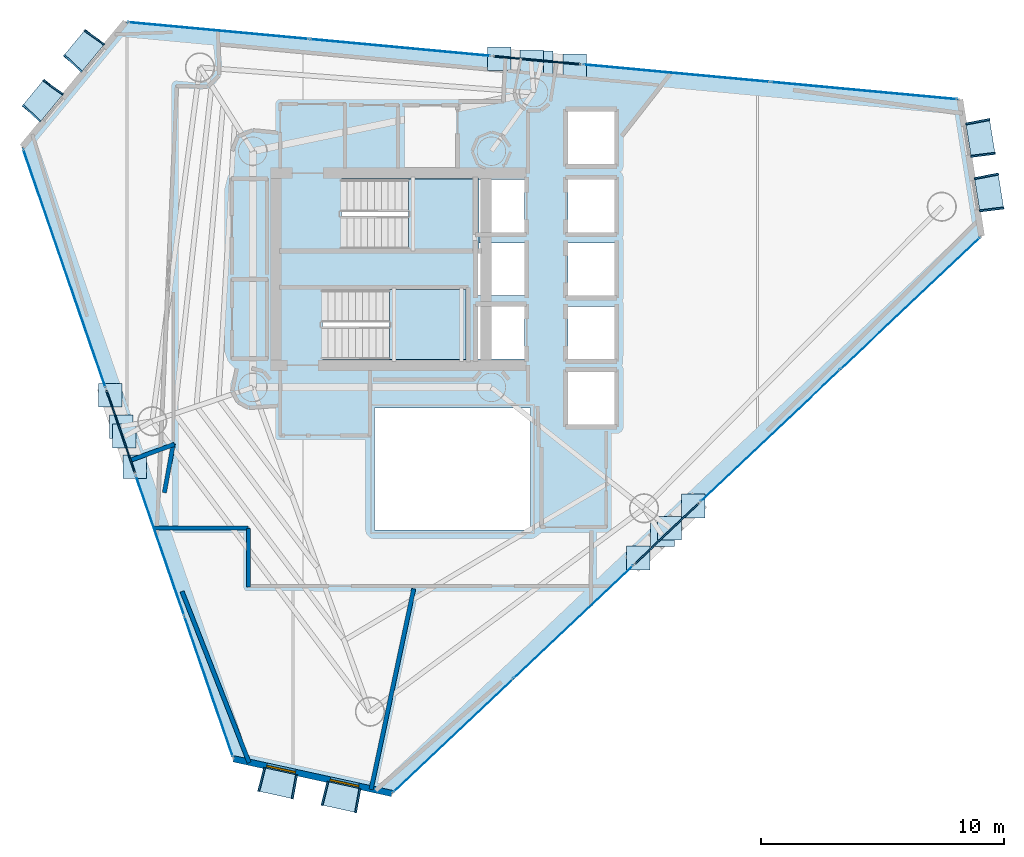
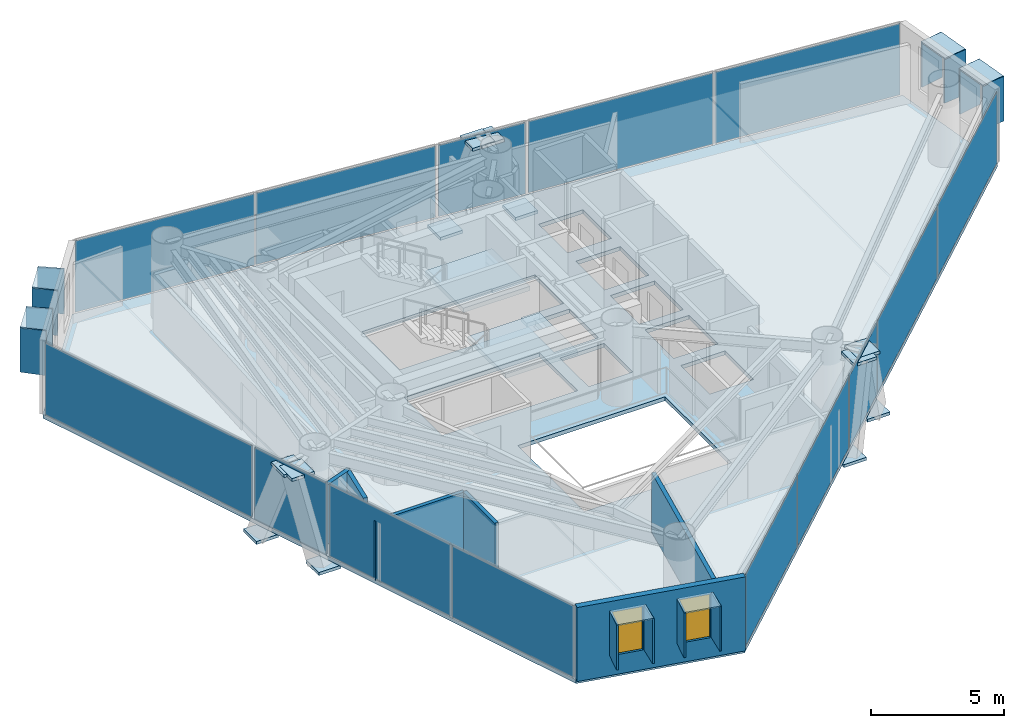
# One storey, part 15 of 20: 44 plates, 7 walls, 3 slabs, 2 windows, 2 openings, 11 elements without a shape of their own.
"""IFC4 building model written with IfcOpenShell, lengths in metres."""

from ifc_helpers import new_model, si_unit, direction, frame, frame_2d, origin, origin_2d, place, context, subcontext, project, spatial, polyline, rectangle, outline, extrude, material, layer, layer_set, type_object, element, fill, aggregate, save


model = new_model("IFC4")

# Units and contexts
model_context = context("Model", 3, precision=1e-05, world=origin(), true_north=direction((0.0, 1.0)))
body_context = subcontext(model_context, "Body", "Model", "MODEL_VIEW")
ifc_project = project(units=[si_unit("LENGTHUNIT", "METRE"), si_unit("AREAUNIT", "SQUARE_METRE"), si_unit("VOLUMEUNIT", "CUBIC_METRE"), si_unit("PLANEANGLEUNIT", "RADIAN"), si_unit("MASSUNIT", "GRAM", prefix="KILO")], contexts=[model_context])

# Site, building, storey
site_placement = place(None, origin())
site = spatial("IfcSite", under=ifc_project, at=site_placement, CompositionType="ELEMENT")
building_placement = place(site_placement, origin())
building = spatial("IfcBuilding", under=site, at=building_placement, Name="Qianvela Tower", CompositionType="ELEMENT")
storey_placement = place(building_placement, frame((0.0, 0.0, 226.199951171875)))
storey = spatial("IfcBuildingStorey", under=building, at=storey_placement, Name="L58", CompositionType="ELEMENT", Elevation=226.199951171875)

# Curtain wall, plate
ifc_material_1 = material(Name="Anodised Architectural Aluminium and Insulated Spandrel Panel", Category="aluminium")
ifc_layer_1 = layer(ifc_material_1, 0.179931640625)
ifc_layer_set_1 = layer_set([ifc_layer_1], Name="Anodised Architectural Aluminium and Insulated Spandrel Panel")
curtain_wall_type_1 = type_object("IfcCurtainWallType", Name="CW-BRACEBAY", PredefinedType="USERDEFINED", material=ifc_layer_set_1)
curtain_wall_1_placement = place(storey_placement, origin())
curtain_wall_1 = element("IfcCurtainWall", 1, at=curtain_wall_1_placement, inside=storey, type_object=curtain_wall_type_1, Name="L58 CW-BRACEBAY Curtain Wall 02B", ObjectType="CURTAIN_WALL_SYSTEM", PredefinedType="USERDEFINED")
ifc_material_2 = material(Name="Insulated Aluminium Spandrel Panel with Mineral-Wool Backpan", Category="aluminium")
ifc_layer_2 = layer(ifc_material_2, 0.06005859375)
ifc_layer_set_2 = layer_set([ifc_layer_2], Name="Insulated Aluminium Spandrel Panel with Mineral-Wool Backpan")
plate_type_1 = type_object("IfcPlateType", Name="CW-BRACEBAY-PNL", PredefinedType="CURTAIN_PANEL", material=ifc_layer_set_2)
plate_1_placement = place(storey_placement, frame((40.2724609375, 37.283935546875, 0.06494140625), z_axis=(0.0, 0.0, 1.0), x_axis=(-0.995705135675, 0.092581222663, 0.0)))
plate_1 = element("IfcPlate", 2, at=plate_1_placement, type_object=plate_type_1, Name="CW-9 panel 1.1", PredefinedType="CURTAIN_PANEL", context=body_context, shape_type="SweptSolid", body=[
    extrude(rectangle(XDim=3.590087890625, YDim=0.06005859375, at=origin_2d()), origin(), (0.0, 0.0, 1.0), 3.27001953125),
])
aggregate(curtain_wall_1, [plate_1])

curtain_wall_2_placement = place(storey_placement, origin())
curtain_wall_2 = element("IfcCurtainWall", 3, at=curtain_wall_2_placement, inside=storey, type_object=curtain_wall_type_1, Name="L58 CW-BRACEBAY Curtain Wall 04B", ObjectType="CURTAIN_WALL_SYSTEM", PredefinedType="USERDEFINED")
plate_2_placement = place(storey_placement, frame((23.176513671875, 22.033935546875, 0.06494140625), z_axis=(0.0, 0.0, 1.0), x_axis=(0.326234234578, -0.945288963328, 0.0)))
plate_2 = element("IfcPlate", 4, at=plate_2_placement, type_object=plate_type_1, Name="CW-9 panel 1.1", PredefinedType="CURTAIN_PANEL", context=body_context, shape_type="SweptSolid", body=[
    extrude(rectangle(XDim=3.590087890625, YDim=0.06005859375, at=origin_2d()), origin(), (0.0, 0.0, 1.0), 3.27001953125),
])
aggregate(curtain_wall_2, [plate_2])

curtain_wall_3_placement = place(storey_placement, origin())
curtain_wall_3 = element("IfcCurtainWall", 5, at=curtain_wall_3_placement, inside=storey, type_object=curtain_wall_type_1, Name="L58 CW-BRACEBAY Curtain Wall 06B", ObjectType="CURTAIN_WALL_SYSTEM", PredefinedType="USERDEFINED")
plate_3_placement = place(storey_placement, frame((45.609130859375, 17.8515625, 0.06494140625), z_axis=(0.0, 0.0, 1.0), x_axis=(0.726654684741, 0.687002888745, 0.0)))
plate_3 = element("IfcPlate", 6, at=plate_3_placement, type_object=plate_type_1, Name="CW-9 panel 1.1", PredefinedType="CURTAIN_PANEL", context=body_context, shape_type="SweptSolid", body=[
    extrude(rectangle(XDim=3.599853515625, YDim=0.06005859375, at=origin_2d()), origin(), (0.0, 0.0, 1.0), 3.27001953125),
])
aggregate(curtain_wall_3, [plate_3])

# Curtain wall, plates
ifc_material_3 = material(Name="Anodised Architectural Aluminium and Low-E Glass", Category="aluminium")
ifc_layer_3 = layer(ifc_material_3, 0.159912109375)
ifc_layer_set_3 = layer_set([ifc_layer_3], Name="Anodised Architectural Aluminium and Low-E Glass")
curtain_wall_type_2 = type_object("IfcCurtainWallType", Name="CW-COLIV-Z56", PredefinedType="USERDEFINED", material=ifc_layer_set_3)
curtain_wall_4_placement = place(storey_placement, origin())
curtain_wall_4 = element("IfcCurtainWall", 7, at=curtain_wall_4_placement, inside=storey, type_object=curtain_wall_type_2, Name="L58 CW-COLIV-Z56 Curtain Wall 02A", ObjectType="CURTAIN_WALL_SYSTEM", PredefinedType="USERDEFINED")
ifc_material_4 = material(Name="Double-Silver Low-E Insulated Glass", Category="glass")
ifc_layer_4 = layer(ifc_material_4, 0.028076171875)
ifc_layer_set_4 = layer_set([ifc_layer_4], Name="Double-Silver Low-E Insulated Glass")
plate_type_2 = type_object("IfcPlateType", Name="CW-COLIV-Z56-PNL", PredefinedType="CURTAIN_PANEL", material=ifc_layer_set_4)
plate_4_placement = place(storey_placement, frame((53.705810546875, 36.03466796875, 0.06005859375), z_axis=(0.0, 0.0, 1.0), x_axis=(-0.995703273509, 0.092601247958, 0.0)))
plate_4 = element("IfcPlate", 8, at=plate_4_placement, type_object=plate_type_2, Name="CW-5 panel 1.1", PredefinedType="CURTAIN_PANEL", context=body_context, shape_type="SweptSolid", body=[
    extrude(rectangle(XDim=7.66748046875, YDim=0.028076171875, at=origin_2d()), origin(), (0.0, 0.0, 1.0), 3.280029296875),
])
plate_5_placement = place(storey_placement, frame((46.006591796875, 36.750732421875, 0.06005859375), z_axis=(0.0, 0.0, 1.0), x_axis=(-0.995703273509, 0.092601247958, 0.0)))
plate_5 = element("IfcPlate", 9, at=plate_5_placement, type_object=plate_type_2, Name="CW-5 panel 2.1", PredefinedType="CURTAIN_PANEL", context=body_context, shape_type="SweptSolid", body=[
    extrude(rectangle(XDim=7.66748046875, YDim=0.028076171875, at=origin_2d()), origin(), (0.0, 0.0, 1.0), 3.280029296875),
])
aggregate(curtain_wall_4, [plate_4, plate_5])

curtain_wall_5_placement = place(storey_placement, origin())
curtain_wall_5 = element("IfcCurtainWall", 10, at=curtain_wall_5_placement, inside=storey, type_object=curtain_wall_type_2, Name="L58 CW-COLIV-Z56 Curtain Wall 02C", ObjectType="CURTAIN_WALL_SYSTEM", PredefinedType="USERDEFINED")
plate_6_placement = place(storey_placement, frame((34.656494140625, 37.80615234375, 0.06005859375), z_axis=(0.0, 0.0, 1.0), x_axis=(-0.995703352508, 0.092600398507, 0.0)))
plate_6 = element("IfcPlate", 11, at=plate_6_placement, type_object=plate_type_2, Name="CW-5 panel 1.1", PredefinedType="CURTAIN_PANEL", context=body_context, shape_type="SweptSolid", body=[
    extrude(rectangle(XDim=7.4306640625, YDim=0.028076171875, at=origin_2d()), origin(), (0.0, 0.0, 1.0), 3.280029296875),
])
plate_7_placement = place(storey_placement, frame((27.193115234375, 38.500244140625, 0.06005859375), z_axis=(0.0, 0.0, 1.0), x_axis=(-0.995703352508, 0.092600398507, 0.0)))
plate_7 = element("IfcPlate", 12, at=plate_7_placement, type_object=plate_type_2, Name="CW-5 panel 2.1", PredefinedType="CURTAIN_PANEL", context=body_context, shape_type="SweptSolid", body=[
    extrude(rectangle(XDim=7.4306640625, YDim=0.028076171875, at=origin_2d()), origin(), (0.0, 0.0, 1.0), 3.280029296875),
])
aggregate(curtain_wall_5, [plate_6, plate_7])

# Curtain wall, plate
curtain_wall_6_placement = place(storey_placement, origin())
curtain_wall_6 = element("IfcCurtainWall", 13, at=curtain_wall_6_placement, inside=storey, type_object=curtain_wall_type_2, Name="L58 CW-COLIV-Z56 Curtain Wall 04A", ObjectType="CURTAIN_WALL_SYSTEM", PredefinedType="USERDEFINED")
plate_8_placement = place(storey_placement, frame((20.863525390625, 28.73583984375, 0.06005859375), z_axis=(0.0, 0.0, 1.0), x_axis=(0.326225494501, -0.945291979622, 0.0)))
plate_8 = element("IfcPlate", 14, at=plate_8_placement, type_object=plate_type_2, Name="CW-5 panel 1.1", PredefinedType="CURTAIN_PANEL", context=body_context, shape_type="SweptSolid", body=[
    extrude(rectangle(XDim=10.329833984375, YDim=0.028076171875, at=origin_2d()), origin(), (0.0, 0.0, 1.0), 3.280029296875),
])
aggregate(curtain_wall_6, [plate_8])

# Curtain wall, plates
curtain_wall_7_placement = place(storey_placement, origin())
curtain_wall_7 = element("IfcCurtainWall", 15, at=curtain_wall_7_placement, inside=storey, type_object=curtain_wall_type_2, Name="L58 CW-COLIV-Z56 Curtain Wall 04C", ObjectType="CURTAIN_WALL_SYSTEM", PredefinedType="USERDEFINED")
plate_9_placement = place(storey_placement, frame((24.792236328125, 17.351806640625, 0.06005859375), z_axis=(0.0, 0.0, 1.0), x_axis=(0.326228815242, -0.945290833609, 0.0)))
plate_9 = element("IfcPlate", 16, at=plate_9_placement, type_object=plate_type_2, Name="CW-5 panel 1.1", PredefinedType="CURTAIN_PANEL", context=body_context, shape_type="SweptSolid", body=[
    extrude(rectangle(XDim=6.055908203125, YDim=0.028076171875, at=origin_2d()), origin(), (0.0, 0.0, 1.0), 3.280029296875),
])
plate_10_placement = place(storey_placement, frame((26.7890625, 11.565673828125, 0.06005859375), z_axis=(0.0, 0.0, 1.0), x_axis=(0.326228815242, -0.945290833609, 0.0)))
plate_10 = element("IfcPlate", 17, at=plate_10_placement, type_object=plate_type_2, Name="CW-5 panel 2.1", PredefinedType="CURTAIN_PANEL", context=body_context, shape_type="SweptSolid", body=[
    extrude(rectangle(XDim=6.055908203125, YDim=0.028076171875, at=origin_2d()), origin(), (0.0, 0.0, 1.0), 3.280029296875),
])
aggregate(curtain_wall_7, [plate_9, plate_10])

curtain_wall_8_placement = place(storey_placement, origin())
curtain_wall_8 = element("IfcCurtainWall", 18, at=curtain_wall_8_placement, inside=storey, type_object=curtain_wall_type_2, Name="L58 CW-COLIV-Z56 Curtain Wall 06A", ObjectType="CURTAIN_WALL_SYSTEM", PredefinedType="USERDEFINED")
plate_11_placement = place(storey_placement, frame((36.83740234375, 9.55859375, 0.06005859375), z_axis=(0.0, 0.0, 1.0), x_axis=(0.726659839708, 0.686997436207, 0.0)))
plate_11 = element("IfcPlate", 19, at=plate_11_placement, type_object=plate_type_2, Name="CW-5 panel 1.1", PredefinedType="CURTAIN_PANEL", context=body_context, shape_type="SweptSolid", body=[
    extrude(rectangle(XDim=6.717529296875, YDim=0.028076171875, at=origin_2d()), origin(), (0.0, 0.0, 1.0), 3.280029296875),
])
plate_12_placement = place(storey_placement, frame((41.76611328125, 14.21826171875, 0.06005859375), z_axis=(0.0, 0.0, 1.0), x_axis=(0.726659839708, 0.686997436207, 0.0)))
plate_12 = element("IfcPlate", 20, at=plate_12_placement, type_object=plate_type_2, Name="CW-5 panel 2.1", PredefinedType="CURTAIN_PANEL", context=body_context, shape_type="SweptSolid", body=[
    extrude(rectangle(XDim=6.717529296875, YDim=0.028076171875, at=origin_2d()), origin(), (0.0, 0.0, 1.0), 3.280029296875),
])
aggregate(curtain_wall_8, [plate_11, plate_12])

curtain_wall_9_placement = place(storey_placement, origin())
curtain_wall_9 = element("IfcCurtainWall", 21, at=curtain_wall_9_placement, inside=storey, type_object=curtain_wall_type_2, Name="L58 CW-COLIV-Z56 Curtain Wall 06C", ObjectType="CURTAIN_WALL_SYSTEM", PredefinedType="USERDEFINED")
plate_13_placement = place(storey_placement, frame((49.857666015625, 21.8681640625, 0.06005859375), z_axis=(0.0, 0.0, 1.0), x_axis=(0.726659014363, 0.686998309201, 0.0)))
plate_13 = element("IfcPlate", 22, at=plate_13_placement, type_object=plate_type_2, Name="CW-5 panel 1.1", PredefinedType="CURTAIN_PANEL", context=body_context, shape_type="SweptSolid", body=[
    extrude(rectangle(XDim=7.83349609375, YDim=0.028076171875, at=origin_2d()), origin(), (0.0, 0.0, 1.0), 3.280029296875),
])
plate_14_placement = place(storey_placement, frame((55.597412109375, 27.29443359375, 0.06005859375), z_axis=(0.0, 0.0, 1.0), x_axis=(0.726659014363, 0.686998309201, 0.0)))
plate_14 = element("IfcPlate", 23, at=plate_14_placement, type_object=plate_type_2, Name="CW-5 panel 2.1", PredefinedType="CURTAIN_PANEL", context=body_context, shape_type="SweptSolid", body=[
    extrude(rectangle(XDim=7.83349609375, YDim=0.028076171875, at=origin_2d()), origin(), (0.0, 0.0, 1.0), 3.280029296875),
])
aggregate(curtain_wall_9, [plate_13, plate_14])

# Plates
ifc_material_5 = material(Name="Steel Q420GJC", Category="steel")
ifc_layer_5 = layer(ifc_material_5, 0.139892578125)
ifc_layer_set_5 = layer_set([ifc_layer_5], Name="Steel Q420GJC")
plate_type_3 = type_object("IfcPlateType", Name="PT-GUSSET-NODE-140", PredefinedType="USERDEFINED", material=ifc_layer_set_5)
for number, where, z_axis, x_axis, name in (
    (24, (41.816650390625, 37.06005859375, -0.61279296875), (0.0, 0.0, 1.0), (1.0, 0.0, 0.0), "L58 Node Gusset Plate A"),
    (25, (40.443603515625, 37.1875, 3.0888671875), (0.0, 0.0, 1.0), (1.0, 0.0, 0.0), "L58 Node Gusset Plate B"),
    (26, (38.720458984375, 37.347900390625, -0.61279296875), (0.0, 0.0, 1.0), (1.0, 0.0, 0.0), "L58 Node Gusset Plate A"),
    (27, (40.050048828125, 37.224365234375, 3.08935546875), (0.0, 0.0, 1.0), (1.0, 0.0, 0.0), "L58 Node Gusset Plate B"),
    (28, (22.744140625, 23.5322265625, -0.61279296875), (0.0, 0.0, 1.0), (1.0, 0.0, 0.0), "L58 Node Gusset Plate A"),
    (29, (23.194091796875, 22.227783203125, 3.0888671875), (0.0, 0.0, 1.0), (1.0, 0.0, 0.0), "L58 Node Gusset Plate B"),
    (30, (23.758544921875, 20.593017578125, -0.61328125), (0.0, 0.0, 1.0), (1.0, 0.0, 0.0), "L58 Node Gusset Plate A"),
    (31, (23.3232421875, 21.85400390625, 3.08935546875), (0.0, 0.0, 1.0), (1.0, 0.0, 0.0), "L58 Node Gusset Plate B"),
    (32, (44.425048828125, 16.842041015625, -0.61279296875), (0.0, 0.0, 1.0), (1.0, 0.0, 0.0), "L58 Node Gusset Plate A"),
    (33, (45.42822265625, 17.79052734375, 3.0888671875), (0.0, 0.0, 1.0), (1.0, 0.0, 0.0), "L58 Node Gusset Plate B"),
    (34, (46.6845703125, 18.978271484375, -0.61328125), (0.0, 0.0, 1.0), (1.0, 0.0, 0.0), "L58 Node Gusset Plate A"),
    (35, (45.715576171875, 18.062255859375, 3.08935546875), (0.0, 0.0, 1.0), (1.0, 0.0, 0.0), "L58 Node Gusset Plate B"),
):
    element("IfcPlate", number, at=place(storey_placement, frame(where, z_axis=z_axis, x_axis=x_axis)), inside=storey, type_object=plate_type_3, Name=name, ObjectType="GUSSET_PLATE", PredefinedType="USERDEFINED", context=body_context, shape_type="SweptSolid", body=[
        extrude(rectangle(XDim=0.969970703125, YDim=0.969970703125, at=origin_2d()), origin(), (0.0, 0.0, 1.0), 0.139892578125),
    ])

# Slab
ifc_material_6 = material(Name="Concrete C40", Category="concrete")
ifc_layer_6 = layer(ifc_material_6, 0.179931640625)
ifc_layer_set_6 = layer_set([ifc_layer_6], Name="Concrete C40")
slab_type_1 = type_object("IfcSlabType", Name="SL-FLOOR-180", PredefinedType="FLOOR", material=ifc_layer_set_6)
slab_1_placement = place(storey_placement, frame((0.0, 0.0, -0.179931640625)))
element("IfcSlab", 36, at=slab_1_placement, inside=storey, type_object=slab_type_1, Name="L58 Composite Structural Floor Slab", PredefinedType="FLOOR", context=body_context, shape_type="SweptSolid", body=[
    extrude(outline(polyline([(58.527099609375, 30.064208984375), (57.6376953125, 35.6689453125), (23.37939453125, 38.85498046875), (19.14111328125, 33.72705078125), (27.814453125, 8.594482421875), (34.313232421875, 7.172119140625), (58.527099609375, 30.064208984375)]), holes=[polyline([(40.0, 23.0), (33.60009765625, 23.0), (33.60009765625, 18.0), (40.0, 18.0), (40.0, 23.0)]), polyline([(39.760009765625, 27.179931640625), (37.840087890625, 27.179931640625), (37.840087890625, 25.02001953125), (39.760009765625, 25.02001953125), (39.760009765625, 27.179931640625)]), polyline([(37.35009765625, 27.860107421875), (31.469970703125, 27.860107421875), (31.469970703125, 25.0), (37.35009765625, 25.0), (37.35009765625, 27.860107421875)]), polyline([(37.840087890625, 27.6201171875), (39.760009765625, 27.6201171875), (39.760009765625, 29.780029296875), (37.89990234375, 29.780029296875), (37.89990234375, 30.219970703125), (39.760009765625, 30.219970703125), (39.760009765625, 32.3798828125), (37.89990234375, 32.3798828125), (37.89990234375, 32.39990234375), (32.25, 32.39990234375), (32.25, 29.5400390625), (37.840087890625, 29.5400390625), (37.840087890625, 27.6201171875)]), polyline([(43.4599609375, 22.320068359375), (43.4599609375, 24.47998046875), (41.5400390625, 24.47998046875), (41.5400390625, 22.320068359375), (43.4599609375, 22.320068359375)]), polyline([(43.4599609375, 25.02001953125), (43.4599609375, 27.179931640625), (41.5400390625, 27.179931640625), (41.5400390625, 25.02001953125), (43.4599609375, 25.02001953125)]), polyline([(43.4599609375, 29.780029296875), (41.5400390625, 29.780029296875), (41.5400390625, 27.6201171875), (43.4599609375, 27.6201171875), (43.4599609375, 29.780029296875)]), polyline([(43.4599609375, 30.219970703125), (43.4599609375, 32.3798828125), (41.5400390625, 32.3798828125), (41.5400390625, 30.219970703125), (43.4599609375, 30.219970703125)]), polyline([(43.4599609375, 33.02001953125), (43.4599609375, 35.179931640625), (41.5400390625, 35.179931640625), (41.5400390625, 33.02001953125), (43.4599609375, 33.02001953125)])]), origin(), (0.0, 0.0, 1.0), 0.179931640625),
])

# Stair, slab
ifc_material_7 = material(Name="Concrete C40", Category="concrete")
stair_type = type_object("IfcStairType", Name="ST-DOGLEG-1350-R168-N22", PredefinedType="HALF_TURN_STAIR", material=ifc_material_7)
stair_1_placement = place(storey_placement, origin())
stair_1 = element("IfcStair", 37, at=stair_1_placement, inside=storey, type_object=stair_type, Name="L58 Smoke-Proof Core Stair ST-1", PredefinedType="HALF_TURN_STAIR")
ifc_material_8 = material(Name="Concrete C40", Category="concrete")
ifc_layer_7 = layer(ifc_material_8, 0.199951171875)
ifc_layer_set_7 = layer_set([ifc_layer_7], Name="Concrete C40")
slab_type_2 = type_object("IfcSlabType", Name="SL-STAIR-LANDING-200", PredefinedType="LANDING", material=ifc_layer_set_7)
slab_2_placement = place(storey_placement, frame((0.0, 0.0, 1.650146484375)))
slab_2 = element("IfcSlab", 38, at=slab_2_placement, type_object=slab_type_2, Name="ST-1 landing 1", PredefinedType="LANDING", context=body_context, shape_type="SweptSolid", body=[
    extrude(outline(polyline([(35.0, 29.5400390625), (37.89990234375, 29.5400390625), (37.89990234375, 32.39990234375), (35.0, 32.39990234375), (35.0, 29.5400390625)])), origin(), (0.0, 0.0, 1.0), 0.199951171875),
])
aggregate(stair_1, [slab_2])

stair_2_placement = place(storey_placement, origin())
stair_2 = element("IfcStair", 39, at=stair_2_placement, inside=storey, type_object=stair_type, Name="L58 Smoke-Proof Core Stair ST-2", PredefinedType="HALF_TURN_STAIR")
slab_3_placement = place(storey_placement, frame((0.0, 0.0, 1.650146484375)))
slab_3 = element("IfcSlab", 40, at=slab_3_placement, type_object=slab_type_2, Name="ST-2 landing 1", PredefinedType="LANDING", context=body_context, shape_type="SweptSolid", body=[
    extrude(outline(polyline([(34.219970703125, 25.0), (37.35009765625, 25.0), (37.35009765625, 27.860107421875), (34.219970703125, 27.860107421875), (34.219970703125, 25.0)])), origin(), (0.0, 0.0, 1.0), 0.199951171875),
])
aggregate(stair_2, [slab_3])

# Plates
ifc_material_9 = material(Name="Vitrified Architectural Terracotta Panel", Category="masonry")
ifc_layer_8 = layer(ifc_material_9, 0.06005859375)
ifc_layer_set_8 = layer_set([ifc_layer_8], Name="Vitrified Architectural Terracotta Panel")
plate_type_4 = type_object("IfcPlateType", Name="TERRACOTTA-SUNSHADE-HOOD-FOLD-A", PredefinedType="USERDEFINED", material=ifc_layer_set_8)
for number, where, z_axis, x_axis, name in (
    (41, (21.656982421875, 37.689208984375, 2.909912109375), (0.0, 0.0, 1.0), (-0.637076966917, -0.770800193451, 0.0), "L58 Terracotta Sunshade Hood FOLD-A"),
    (42, (19.961669921875, 35.63818359375, 2.909912109375), (0.0, 0.0, 1.0), (-0.637076966917, -0.770800193451, 0.0), "L58 Terracotta Sunshade Hood FOLD-A"),
):
    element("IfcPlate", number, at=place(storey_placement, frame(where, z_axis=z_axis, x_axis=x_axis)), inside=storey, type_object=plate_type_4, Name=name, ObjectType="SUNSHADE", PredefinedType="USERDEFINED", context=body_context, shape_type="SweptSolid", body=[
        extrude(rectangle(XDim=1.43994140625, YDim=0.989990234375, at=origin_2d()), origin(), (0.0, 0.0, 1.0), 0.06005859375),
    ])
ifc_material_10 = material(Name="Vitrified Architectural Terracotta Panel", Category="masonry")
ifc_layer_9 = layer(ifc_material_10, 0.070068359375)
ifc_layer_set_9 = layer_set([ifc_layer_9], Name="Vitrified Architectural Terracotta Panel")
plate_type_5 = type_object("IfcPlateType", Name="TERRACOTTA-SUNSHADE-HOOD-FOLD-C", PredefinedType="USERDEFINED", material=ifc_layer_set_9)
for number, where, z_axis, x_axis, name in (
    (43, (58.837890625, 31.83740234375, 2.909912109375), (0.0, 0.0, 1.0), (-0.15672751118, 0.98764188208, 0.0), "L58 Terracotta Sunshade Hood FOLD-C"),
    (44, (58.482177734375, 34.079345703125, 2.909912109375), (0.0, 0.0, 1.0), (-0.15672751118, 0.98764188208, 0.0), "L58 Terracotta Sunshade Hood FOLD-C"),
    (45, (29.63916015625, 7.596435546875, 2.909912109375), (0.0, 0.0, 1.0), (0.976875347328, -0.213809625092, 0.0), "L58 Terracotta Sunshade Hood FOLD-C"),
    (46, (32.238525390625, 7.02734375, 2.909912109375), (0.0, 0.0, 1.0), (0.976875347328, -0.213809625092, 0.0), "L58 Terracotta Sunshade Hood FOLD-C"),
):
    element("IfcPlate", number, at=place(storey_placement, frame(where, z_axis=z_axis, x_axis=x_axis)), inside=storey, type_object=plate_type_5, Name=name, ObjectType="SUNSHADE", PredefinedType="USERDEFINED", context=body_context, shape_type="SweptSolid", body=[
        extrude(rectangle(XDim=1.43994140625, YDim=0.989990234375, at=origin_2d()), origin(), (0.0, 0.0, 1.0), 0.06005859375),
    ])
ifc_material_11 = material(Name="Vitrified Architectural Terracotta Side Fin Panel", Category="masonry")
ifc_layer_10 = layer(ifc_material_11, 0.06494140625)
ifc_layer_set_10 = layer_set([ifc_layer_10], Name="Vitrified Architectural Terracotta Side Fin Panel")
plate_type_6 = type_object("IfcPlateType", Name="TERRACOTTA-SUNSHADE-STRUT-FOLD-A", PredefinedType="USERDEFINED", material=ifc_layer_set_10)
for number, where, z_axis, x_axis, name in (
    (47, (22.096435546875, 38.22119140625, 0.89990234375), (0.0, 0.0, 1.0), (-0.581756775988, -0.813362805636, 0.0), "L58 Terracotta Sunshade Side Fin HL FOLD-A"),
    (48, (21.21728515625, 37.157470703125, 0.89990234375), (0.0, 0.0, 1.0), (-0.689293382901, -0.724482320204, 0.0), "L58 Terracotta Sunshade Side Fin HR FOLD-A"),
    (49, (20.401123046875, 36.169921875, 0.89990234375), (0.0, 0.0, 1.0), (-0.581756775988, -0.813362805636, 0.0), "L58 Terracotta Sunshade Side Fin HL FOLD-A"),
    (50, (19.522216796875, 35.106201171875, 0.89990234375), (0.0, 0.0, 1.0), (-0.689293382901, -0.724482320204, 0.0), "L58 Terracotta Sunshade Side Fin HR FOLD-A"),
):
    element("IfcPlate", number, at=place(storey_placement, frame(where, z_axis=z_axis, x_axis=x_axis)), inside=storey, type_object=plate_type_6, Name=name, ObjectType="SUNSHADE", PredefinedType="USERDEFINED", context=body_context, shape_type="SweptSolid", body=[
        extrude(rectangle(XDim=0.06494140625, YDim=1.010009765625, at=origin_2d()), origin(), (0.0, 0.0, 1.0), 2.06005859375),
    ])
ifc_material_12 = material(Name="Vitrified Architectural Terracotta Side Fin Panel", Category="masonry")
ifc_layer_11 = layer(ifc_material_12, 0.074951171875)
ifc_layer_set_11 = layer_set([ifc_layer_11], Name="Vitrified Architectural Terracotta Side Fin Panel")
plate_type_7 = type_object("IfcPlateType", Name="TERRACOTTA-SUNSHADE-STRUT-FOLD-C", PredefinedType="USERDEFINED", material=ifc_layer_set_11)
for number, where, z_axis, x_axis, name in (
    (51, (58.946044921875, 31.156005859375, 0.89990234375), (0.0, 0.0, 1.0), (-0.122163832408, 0.992509948591, 0.0), "L58 Terracotta Sunshade Side Fin HL FOLD-C"),
    (52, (58.729736328125, 32.518798828125, 0.89990234375), (0.0, 0.0, 1.0), (-0.191100241622, 0.981570526071, 0.0), "L58 Terracotta Sunshade Side Fin HR FOLD-C"),
    (53, (58.59033203125, 33.397705078125, 0.89990234375), (0.0, 0.0, 1.0), (-0.122163832408, 0.992509948591, 0.0), "L58 Terracotta Sunshade Side Fin HL FOLD-C"),
    (54, (58.3740234375, 34.7607421875, 0.89990234375), (0.0, 0.0, 1.0), (-0.191100241622, 0.981570526071, 0.0), "L58 Terracotta Sunshade Side Fin HR FOLD-C"),
    (55, (28.965087890625, 7.743896484375, 0.89990234375), (0.0, 0.0, 1.0), (0.968818412955, -0.247771836008, 0.0), "L58 Terracotta Sunshade Side Fin HL FOLD-C"),
    (56, (30.31298828125, 7.448974609375, 0.89990234375), (0.0, 0.0, 1.0), (0.983742109567, -0.179586920082, 0.0), "L58 Terracotta Sunshade Side Fin HR FOLD-C"),
    (57, (31.564453125, 7.175048828125, 0.89990234375), (0.0, 0.0, 1.0), (0.968818412955, -0.247771836008, 0.0), "L58 Terracotta Sunshade Side Fin HL FOLD-C"),
    (58, (32.91259765625, 6.8798828125, 0.89990234375), (0.0, 0.0, 1.0), (0.983742109567, -0.179586920082, 0.0), "L58 Terracotta Sunshade Side Fin HR FOLD-C"),
):
    element("IfcPlate", number, at=place(storey_placement, frame(where, z_axis=z_axis, x_axis=x_axis)), inside=storey, type_object=plate_type_7, Name=name, ObjectType="SUNSHADE", PredefinedType="USERDEFINED", context=body_context, shape_type="SweptSolid", body=[
        extrude(rectangle(XDim=0.074951171875, YDim=1.010009765625, at=origin_2d()), origin(), (0.0, 0.0, 1.0), 2.06005859375),
    ])

# Wall, openings, windows
ifc_material_13 = material(Name="Terracotta Cladding on Concrete C40", Category="masonry")
ifc_layer_12 = layer(ifc_material_13, 0.260009765625)
ifc_layer_set_12 = layer_set([ifc_layer_12], Name="Terracotta Cladding on Concrete C40")
wall_type_1 = type_object("IfcWallType", Name="TERRACOTTA-WALL-260", PredefinedType="SOLIDWALL", material=ifc_layer_set_12)
wall_1_placement = place(storey_placement, frame((27.814453125, 8.594482421875, 0.0), z_axis=(0.0, 0.0, 1.0), x_axis=(0.976876309586, -0.213805228583, 0.0)))
wall_1 = element("IfcWall", 59, at=wall_1_placement, inside=storey, type_object=wall_type_1, Name="L58 Terracotta Chamfer Facet Wall 5", PredefinedType="SOLIDWALL", context=body_context, shape_type="SweptSolid", body=[
    extrude(rectangle(XDim=6.652587890625, YDim=0.260009765625, at=frame_2d((3.326171875, 0.0))), origin(), (0.0, 0.0, 1.0), 3.400146484375),
])
opening_1_placement = place(wall_1_placement, frame((1.395751953125, 0.0, 0.89990234375)))
opening_1 = element("IfcOpeningElement", 60, at=opening_1_placement, cuts=wall_1, Name="Opening W-03", PredefinedType="OPENING", context=body_context, shape_type="SweptSolid", body=[
    extrude(rectangle(XDim=1.199951171875, YDim=2.0, at=frame_2d((0.60009765625, 1.0))), frame((0.0, 0.139892578125, 0.0), z_axis=(0.0, -1.0, 0.0), x_axis=(1.0, 0.0, 0.0)), (0.0, 0.0, 1.0), 0.280029296875),
])
opening_2_placement = place(wall_1_placement, frame((4.056884765625, 0.0, 0.89990234375)))
opening_2 = element("IfcOpeningElement", 61, at=opening_2_placement, cuts=wall_1, Name="Opening W-03", PredefinedType="OPENING", context=body_context, shape_type="SweptSolid", body=[
    extrude(rectangle(XDim=1.199951171875, YDim=2.0, at=frame_2d((0.60009765625, 1.0))), frame((0.0, 0.139892578125, 0.0), z_axis=(0.0, -1.0, 0.0), x_axis=(1.0, 0.0, 0.0)), (0.0, 0.0, 1.0), 0.280029296875),
])
ifc_material_14 = material(Name="Thermally Broken Aluminium and Low-E Glass", Category="aluminium")
window_type = type_object("IfcWindowType", Name="WIN-TC-1200x2000", PartitioningType="SINGLE_PANEL", PredefinedType="WINDOW", material=ifc_material_14)
window_1_placement = place(opening_1_placement, origin())
window_1 = element("IfcWindow", 62, at=window_1_placement, inside=storey, type_object=window_type, Name="L58 Chamfer Facet Window 5.1", OverallHeight=2.0, OverallWidth=1.199951171875, PartitioningType="SINGLE_PANEL", PredefinedType="WINDOW", context=body_context, shape_type="SweptSolid", body=[
    extrude(rectangle(XDim=1.199951171875, YDim=2.0, at=frame_2d((0.60009765625, 1.0))), frame((0.0, 0.030029296875, 0.0), z_axis=(0.0, -1.0, 0.0), x_axis=(1.0, 0.0, 0.0)), (0.0, 0.0, 1.0), 0.06005859375),
])
fill(opening_1, window_1)
window_2_placement = place(opening_2_placement, origin())
window_2 = element("IfcWindow", 63, at=window_2_placement, inside=storey, type_object=window_type, Name="L58 Chamfer Facet Window 5.2", OverallHeight=2.0, OverallWidth=1.199951171875, PartitioningType="SINGLE_PANEL", PredefinedType="WINDOW", context=body_context, shape_type="SweptSolid", body=[
    extrude(rectangle(XDim=1.199951171875, YDim=2.0, at=frame_2d((0.60009765625, 1.0))), frame((0.0, 0.030029296875, 0.0), z_axis=(0.0, -1.0, 0.0), x_axis=(1.0, 0.0, 0.0)), (0.0, 0.0, 1.0), 0.06005859375),
])
fill(opening_2, window_2)

# Walls
ifc_material_15 = material(Name="Fire-Rated Gypsum and Concrete Block", Category="concrete")
ifc_layer_13 = layer(ifc_material_15, 0.159912109375)
ifc_layer_set_13 = layer_set([ifc_layer_13], Name="Fire-Rated Gypsum and Concrete Block")
wall_type_2 = type_object("IfcWallType", Name="WT-CORR-160", PredefinedType="PARTITIONING", material=ifc_layer_set_13)
wall_2_placement = place(storey_placement, frame((28.430908203125, 15.64990234375, 0.0), z_axis=(0.0, 0.0, 1.0), x_axis=(0.0, 1.0, 0.0)))
element("IfcWall", 64, at=wall_2_placement, inside=storey, type_object=wall_type_2, Name="L58 Partition 74", PredefinedType="PARTITIONING", context=body_context, shape_type="SweptSolid", body=[
    extrude(rectangle(XDim=2.400146484375, YDim=0.159912109375, at=frame_2d((1.2001953125, 0.0))), origin(), (0.0, 0.0, 1.0), 2.719970703125),
])
wall_3_placement = place(storey_placement, frame((28.39990234375, 18.0810546875, 0.0), z_axis=(0.0, 0.0, 1.0), x_axis=(-1.0, 0.0, 0.0)))
element("IfcWall", 65, at=wall_3_placement, inside=storey, type_object=wall_type_2, Name="L58 Partition 75", PredefinedType="PARTITIONING", context=body_context, shape_type="SweptSolid", body=[
    extrude(rectangle(XDim=3.879150390625, YDim=0.159912109375, at=frame_2d((1.939453125, 0.0))), origin(), (0.0, 0.0, 1.0), 2.719970703125),
])
ifc_material_16 = material(Name="Moisture-Resistant Acoustic Plumbing Wall")
ifc_layer_14 = layer(ifc_material_16, 0.175048828125)
ifc_layer_set_14 = layer_set([ifc_layer_14], Name="Moisture-Resistant Acoustic Plumbing Wall")
wall_type_3 = type_object("IfcWallType", Name="WT-PLUMB-175", PredefinedType="PLUMBINGWALL", material=ifc_layer_set_14)
wall_4_placement = place(storey_placement, frame((23.56396484375, 20.85009765625, 0.0), z_axis=(0.0, 0.0, 1.0), x_axis=(0.939704898586, 0.341986408463, 0.0)))
element("IfcWall", 66, at=wall_4_placement, inside=storey, type_object=wall_type_3, Name="L58 Partition 79", PredefinedType="PLUMBINGWALL", context=body_context, shape_type="SweptSolid", body=[
    extrude(rectangle(XDim=1.93310546875, YDim=0.175048828125, at=frame_2d((0.966552734375, 0.0))), origin(), (0.0, 0.0, 1.0), 2.719970703125),
])
wall_5_placement = place(storey_placement, frame((25.339111328125, 21.540283203125, 0.0), z_axis=(0.0, 0.0, 1.0), x_axis=(-0.180437406322, -0.983586469203, 0.0)))
element("IfcWall", 67, at=wall_5_placement, inside=storey, type_object=wall_type_3, Name="L58 Partition 80 seg 1", PredefinedType="PLUMBINGWALL", context=body_context, shape_type="SweptSolid", body=[
    extrude(rectangle(XDim=2.048583984375, YDim=0.175048828125, at=frame_2d((1.0244140625, 0.0))), origin(), (0.0, 0.0, 1.0), 2.719970703125),
])
wall_6_placement = place(storey_placement, frame((35.209716796875, 15.576416015625, 0.0), z_axis=(0.0, 0.0, 1.0), x_axis=(-0.207915270313, -0.978146839882, 0.0)))
element("IfcWall", 68, at=wall_6_placement, inside=storey, type_object=wall_type_3, Name="L58 Partition 84", PredefinedType="PLUMBINGWALL", context=body_context, shape_type="SweptSolid", body=[
    extrude(rectangle(XDim=8.421630859375, YDim=0.175048828125, at=frame_2d((4.2109375, 0.0))), origin(), (0.0, 0.0, 1.0), 2.719970703125),
])
wall_7_placement = place(storey_placement, frame((28.451416015625, 8.437744140625, 0.0), z_axis=(0.0, 0.0, 1.0), x_axis=(-0.36487104793, 0.931058063916, 0.0)))
element("IfcWall", 69, at=wall_7_placement, inside=storey, type_object=wall_type_3, Name="L58 Partition 86 seg 1", PredefinedType="PLUMBINGWALL", context=body_context, shape_type="SweptSolid", body=[
    extrude(rectangle(XDim=7.551513671875, YDim=0.175048828125, at=frame_2d((3.77587890625, 0.0))), origin(), (0.0, 0.0, 1.0), 2.719970703125),
])

save(model, "model.ifc")
